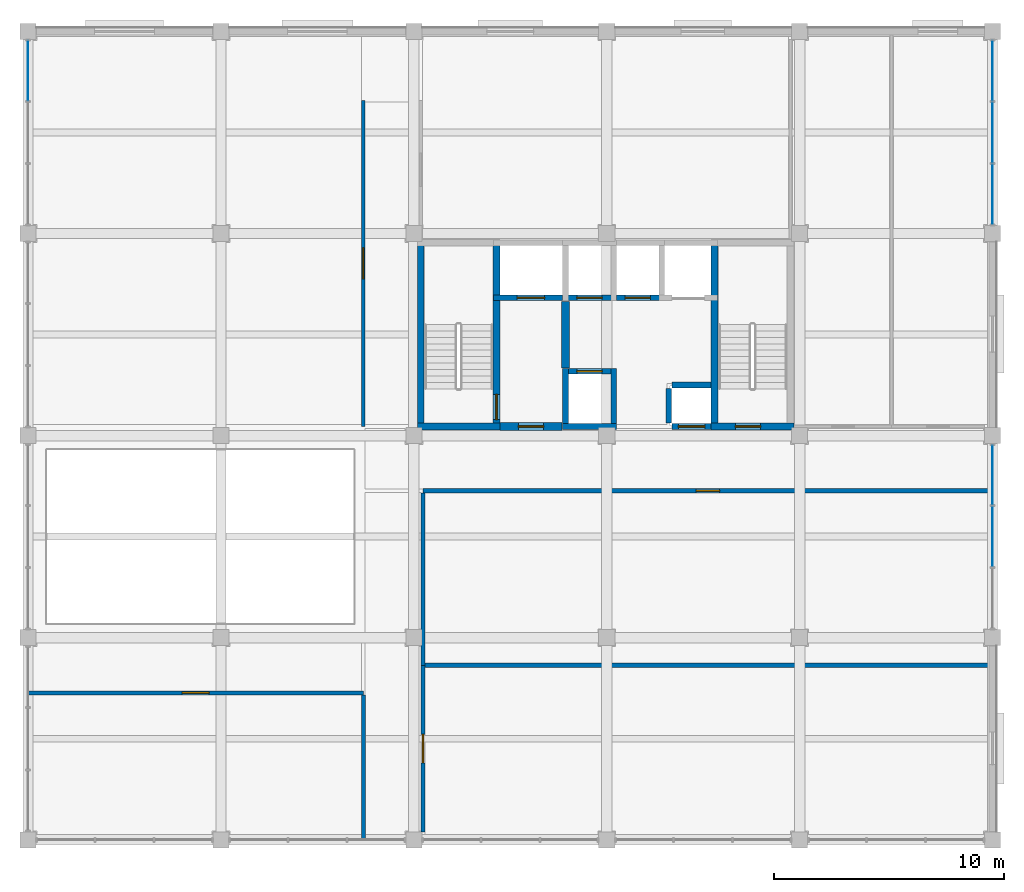
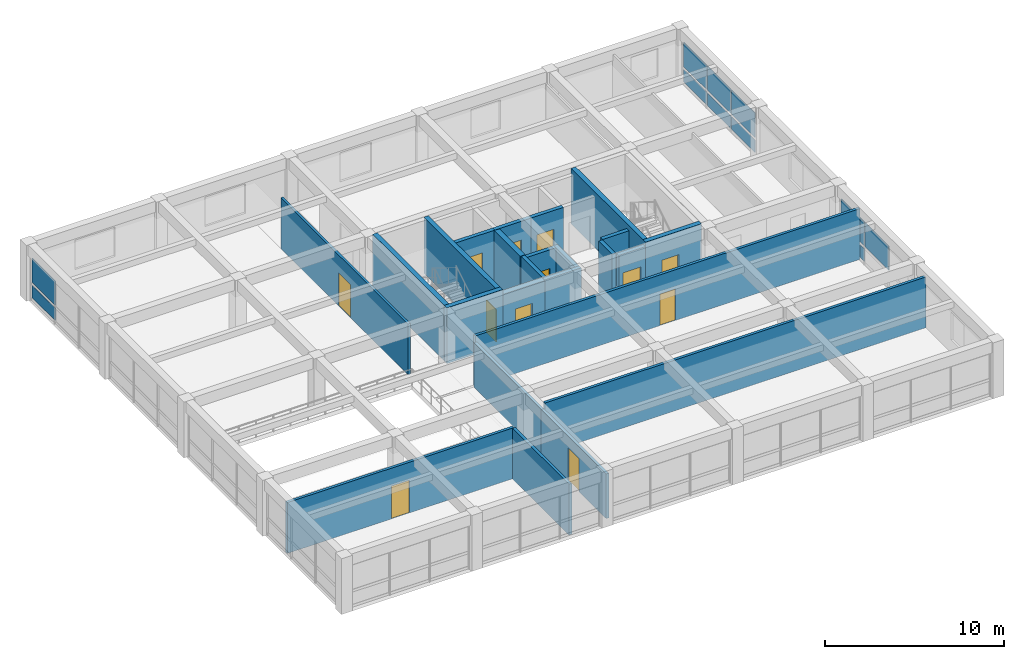
# One storey, part 9 of 13: 24 walls, 12 doors, 11 plates, 12 openings, 3 elements without a shape of their own.
"""IFC4 building model written with IfcOpenShell, lengths in metres."""

import ifcopenshell
import ifcopenshell.guid

model = None  # the IFC model being written
_history = None  # IfcOwnerHistory: only IFC2X3 demands one
_inside = {}  # id of a spatial element -> (the spatial element, [elements in it])
_under = {}  # id of a project, library or spatial element -> (it, [spatial elements below it])
_declared = {}  # id of a project -> (the project, [libraries it declares])
_typed = {}  # id of a type object -> (the type object, [elements of that type])
_made_of = {}  # id of a material, layer set ... -> (it, [elements and type objects made of it])


def new_model(schema):
    """Start an empty IFC model of exactly this schema.

    Asked for "IFC4X3", IfcOpenShell would pick the latest addendum, in which some entities
    have other attributes; the version numbers below select the first issue.
    IFC2X3 requires an IfcOwnerHistory on every rooted entity: one is made here for all.
    """
    global model, _history
    if schema == "IFC4X3":
        model = ifcopenshell.file(schema_version=(4, 3, 0, 0))
    else:
        model = ifcopenshell.file(schema=schema)
    _inside.clear()
    _under.clear()
    _declared.clear()
    _typed.clear()
    _made_of.clear()
    _history = None
    if model.schema == "IFC2X3":
        org = make("IfcOrganization", Name="unknown")
        user = make(
            "IfcPersonAndOrganization",
            ThePerson=make("IfcPerson", FamilyName="unknown"),
            TheOrganization=org,
        )
        app = make(
            "IfcApplication",
            ApplicationDeveloper=org,
            Version="unknown",
            ApplicationFullName="unknown",
            ApplicationIdentifier="unknown",
        )
        _history = make(
            "IfcOwnerHistory",
            OwningUser=user,
            OwningApplication=app,
            ChangeAction="ADDED",
            CreationDate=0,
        )
    return model


def make(cls, **values):
    """One entity of the class cls with the attributes given. An attribute that is None is left unset."""
    return model.create_entity(
        cls, **{name: value for name, value in values.items() if value is not None}
    )


def rooted(cls, **values):
    """An entity with a GlobalId (a new one), such as an element, a storey or a relation."""
    return make(cls, GlobalId=ifcopenshell.guid.new(), OwnerHistory=_history, **values)


def si_unit(unit_type, name, prefix=None):
    """IfcSIUnit, for example si_unit("LENGTHUNIT", "METRE", prefix="MILLI")."""
    return make("IfcSIUnit", UnitType=unit_type, Prefix=prefix, Name=name)


def assignment(units):
    """IfcUnitAssignment: the units of a project."""
    return None if units is None else make("IfcUnitAssignment", Units=units)


def point(xyz):
    """IfcCartesianPoint."""
    return None if xyz is None else make("IfcCartesianPoint", Coordinates=xyz)


def direction(xyz):
    """IfcDirection."""
    return None if xyz is None else make("IfcDirection", DirectionRatios=xyz)


def frame(location, z_axis=None, x_axis=None):
    """IfcAxis2Placement3D, a coordinate frame: its origin and axes. An axis left out is left unset."""
    return make(
        "IfcAxis2Placement3D",
        Location=point(location),
        Axis=direction(z_axis),
        RefDirection=direction(x_axis),
    )


def frame_2d(location, x_axis=None):
    """IfcAxis2Placement2D, a coordinate frame in the plane: its origin and x axis."""
    return make(
        "IfcAxis2Placement2D", Location=point(location), RefDirection=direction(x_axis)
    )


def origin():
    """The frame at (0, 0, 0) with its axes left unset."""
    return frame((0.0, 0.0, 0.0))


def origin_2d():
    """The frame at (0, 0) in the plane with its x axis left unset."""
    return frame_2d((0.0, 0.0))


def place(relative_to, where):
    """IfcLocalPlacement: puts the frame where relative to a parent placement (None: the world)."""
    return make(
        "IfcLocalPlacement", PlacementRelTo=relative_to, RelativePlacement=where
    )


def context(
    kind, dimensions, precision=None, world=None, true_north=None, identifier=None
):
    """IfcGeometricRepresentationContext, for example the 3D "Model" context."""
    return make(
        "IfcGeometricRepresentationContext",
        ContextIdentifier=identifier,
        ContextType=kind,
        CoordinateSpaceDimension=dimensions,
        Precision=precision,
        WorldCoordinateSystem=world,
        TrueNorth=true_north,
    )


def subcontext(parent, identifier, kind, view, scale=None):
    """IfcGeometricRepresentationSubContext, for example "Body" below "Model"."""
    return make(
        "IfcGeometricRepresentationSubContext",
        ContextIdentifier=identifier,
        ContextType=kind,
        ParentContext=parent,
        TargetScale=scale,
        TargetView=view,
    )


def project(units=None, contexts=None):
    """IfcProject with its units and contexts."""
    return rooted(
        "IfcProject",
        Name="project",
        RepresentationContexts=contexts,
        UnitsInContext=assignment(units),
    )


def spatial(cls, under=None, at=None, **own):
    """A site, building, storey or space (cls), placed at a placement, below another one or the project."""
    s = rooted(cls, ObjectPlacement=at, **own)
    if under is not None:
        _under.setdefault(under.id(), (under, []))[1].append(s)
    return s


def profile(cls, at=None, kind="AREA", **sizes):
    """A parametric profile (cls). Its sizes go by their IFC names, for example OverallWidth=200.0."""
    return make(cls, ProfileType=kind, Position=at, **sizes)


def rectangle(**sizes):
    """IfcRectangleProfileDef."""
    return profile("IfcRectangleProfileDef", **sizes)


def extrude(swept, where, along, depth):
    """IfcExtrudedAreaSolid: the profile swept, set in the frame where, extruded along a direction by depth."""
    return make(
        "IfcExtrudedAreaSolid",
        SweptArea=swept,
        Position=where,
        ExtrudedDirection=direction(along),
        Depth=depth,
    )


def shape(context_of_items, identifier, shape_type, items):
    """IfcShapeRepresentation: the items that make up one representation, for example the "Body"."""
    return make(
        "IfcShapeRepresentation",
        ContextOfItems=context_of_items,
        RepresentationIdentifier=identifier,
        RepresentationType=shape_type,
        Items=items,
    )


def material(Name=None, Category=None):
    """IfcMaterial."""
    return make("IfcMaterial", Name=Name, Category=Category)


def layer(
    of_material, thickness, ventilated=None, Name=None, Category=None, Priority=None
):
    """IfcMaterialLayer: one layer of a wall or slab, of a material (None: an air gap)."""
    return make(
        "IfcMaterialLayer",
        Material=of_material,
        LayerThickness=thickness,
        IsVentilated=ventilated,
        Name=Name,
        Category=Category,
        Priority=Priority,
    )


def layer_set(layers, Name=None):
    """IfcMaterialLayerSet."""
    return make("IfcMaterialLayerSet", MaterialLayers=layers, LayerSetName=Name)


def made_of(thing, what):
    """Note that an element or type object is made of a material, layer set ...; save() writes the relation."""
    if what is not None:
        _made_of.setdefault(what.id(), (what, []))[1].append(thing)
    return thing


def type_object(cls, material=None, **own):
    """A type object (cls), such as IfcWallType, which elements share."""
    return made_of(rooted(cls, **own), material)


def element(
    cls,
    number,
    at=None,
    inside=None,
    cuts=None,
    type_object=None,
    material=None,
    context=None,
    identifier="Body",
    shape_type=None,
    held_by="IfcProductDefinitionShape",
    body=None,
    shapes=None,
    **own,
):
    """One element of the class cls, such as IfcWall. Its Tag is "e" and its number.

    at: its placement. inside: the storey or other place that contains it. cuts: it is an
    opening in that element (IfcRelVoidsElement). A single representation is given by context,
    identifier, shape_type and body (its items); several are given by shapes. held_by: the class
    of the entity that holds the representations. save() writes the other relations.
    """
    e = rooted(cls, Tag="e%d" % number, ObjectPlacement=at, **own)
    if body is not None:
        shapes = [shape(context, identifier, shape_type, body)]
    if shapes is not None:
        e.Representation = make(held_by, Representations=shapes)
    if inside is not None:
        _inside.setdefault(inside.id(), (inside, []))[1].append(e)
    if cuts is not None:
        rooted(
            "IfcRelVoidsElement", RelatingBuildingElement=cuts, RelatedOpeningElement=e
        )
    if type_object is not None:
        _typed.setdefault(type_object.id(), (type_object, []))[1].append(e)
    return made_of(e, material)


def fill(opening, filler):
    """IfcRelFillsElement: the door or window that sits in an opening."""
    return rooted(
        "IfcRelFillsElement",
        RelatingOpeningElement=opening,
        RelatedBuildingElement=filler,
    )


def aggregate(whole, parts):
    """IfcRelAggregates: a whole, such as a stair, and the parts it consists of."""
    return rooted("IfcRelAggregates", RelatingObject=whole, RelatedObjects=parts)


def save(model, path):
    """Write the relations noted so far, then the file.

    IfcRelAggregates (storeys below a building ...), IfcRelContainedInSpatialStructure (elements
    in a storey), IfcRelDefinesByType, IfcRelAssociatesMaterial and IfcRelDeclares: one each for
    every whole, place, type object, material and project.
    """
    for whole, parts in _under.values():
        aggregate(whole, parts)
    for where, things in _inside.values():
        rooted(
            "IfcRelContainedInSpatialStructure",
            RelatedElements=things,
            RelatingStructure=where,
        )
    for kind, things in _typed.values():
        rooted("IfcRelDefinesByType", RelatedObjects=things, RelatingType=kind)
    for what, things in _made_of.values():
        rooted("IfcRelAssociatesMaterial", RelatedObjects=things, RelatingMaterial=what)
    for by, libraries in _declared.values():
        rooted("IfcRelDeclares", RelatingContext=by, RelatedDefinitions=libraries)
    model.write(path)


model = new_model("IFC4")

# Units and contexts
model_context = context("Model", 3, precision=1e-05, world=origin(), true_north=direction((0.0, 1.0)))
body_context = subcontext(model_context, "Body", "Model", "MODEL_VIEW")
ifc_project = project(units=[si_unit("LENGTHUNIT", "METRE"), si_unit("AREAUNIT", "SQUARE_METRE"), si_unit("VOLUMEUNIT", "CUBIC_METRE"), si_unit("PLANEANGLEUNIT", "RADIAN"), si_unit("MASSUNIT", "GRAM", prefix="KILO")], contexts=[model_context])

# Site, building, storey
site_placement = place(None, origin())
site = spatial("IfcSite", under=ifc_project, at=site_placement, CompositionType="ELEMENT")
building_placement = place(site_placement, origin())
building = spatial("IfcBuilding", under=site, at=building_placement, Name="Kemercrest Conservatory and Botanical Centre", CompositionType="ELEMENT")
storey_placement = place(building_placement, frame((0.0, 0.0, 40.60009765625)))
storey = spatial("IfcBuildingStorey", under=building, at=storey_placement, Name="L10", CompositionType="ELEMENT", Elevation=40.60009765625)

# Curtain wall, plates
ifc_material_1 = material(Name="Thermally broken aluminium and triple low-e glazing", Category="aluminium")
curtain_wall_type_1 = type_object("IfcCurtainWallType", Name="CW-27", PredefinedType="USERDEFINED", material=ifc_material_1)
curtain_wall_1_placement = place(storey_placement, origin())
curtain_wall_1 = element("IfcCurtainWall", 1, at=curtain_wall_1_placement, inside=storey, type_object=curtain_wall_type_1, Name="Unitised curtain wall CW-27 (CW:L10:V4-116)", ObjectType="UNITISED CURTAIN WALL", PredefinedType="USERDEFINED")
ifc_material_2 = material(Name="Triple low-e argon insulated glazing unit", Category="glass")
ifc_layer_1 = layer(ifc_material_2, 0.035888671875)
ifc_layer_set_1 = layer_set([ifc_layer_1], Name="Triple low-e argon insulated glazing unit")
plate_type = type_object("IfcPlateType", Name="CW-PNL036", PredefinedType="CURTAIN_PANEL", material=ifc_layer_set_1)
plate_1_placement = place(storey_placement, frame((176.0, 100.39990234375, 1.2099609375), z_axis=(0.0, 0.0, 1.0), x_axis=(0.0, 1.0, 0.0)))
plate_1 = element("IfcPlate", 2, at=plate_1_placement, type_object=plate_type, Name="CW-27 panel 2.2", PredefinedType="CURTAIN_PANEL", context=body_context, shape_type="SweptSolid", body=[
    extrude(rectangle(XDim=2.638427734375, YDim=0.035888671875, at=origin_2d()), origin(), (0.0, 0.0, 1.0), 1.6650390625),
])
plate_2_placement = place(storey_placement, frame((176.0, 103.087158203125, 0.179931640625), z_axis=(0.0, 0.0, 1.0), x_axis=(0.0, 1.0, 0.0)))
plate_2 = element("IfcPlate", 3, at=plate_2_placement, type_object=plate_type, Name="CW-27 panel 3.1", PredefinedType="CURTAIN_PANEL", context=body_context, shape_type="SweptSolid", body=[
    extrude(rectangle(XDim=2.605712890625, YDim=0.035888671875, at=origin_2d()), origin(), (0.0, 0.0, 1.0), 0.85009765625),
])
plate_3_placement = place(storey_placement, frame((176.0, 103.087158203125, 1.2099609375), z_axis=(0.0, 0.0, 1.0), x_axis=(0.0, 1.0, 0.0)))
plate_3 = element("IfcPlate", 4, at=plate_3_placement, type_object=plate_type, Name="CW-27 panel 3.2", PredefinedType="CURTAIN_PANEL", context=body_context, shape_type="SweptSolid", body=[
    extrude(rectangle(XDim=2.605712890625, YDim=0.035888671875, at=origin_2d()), origin(), (0.0, 0.0, 1.0), 1.6650390625),
])
aggregate(curtain_wall_1, [plate_1, plate_2, plate_3])

curtain_wall_type_2 = type_object("IfcCurtainWallType", Name="CW-28", PredefinedType="USERDEFINED", material=ifc_material_1)
curtain_wall_2_placement = place(storey_placement, origin())
curtain_wall_2 = element("IfcCurtainWall", 5, at=curtain_wall_2_placement, inside=storey, type_object=curtain_wall_type_2, Name="Unitised curtain wall CW-28 (CW:L10:V4-117)", ObjectType="UNITISED CURTAIN WALL", PredefinedType="USERDEFINED")
plate_4_placement = place(storey_placement, frame((176.0, 115.31298828125, 0.179931640625), z_axis=(0.0, 0.0, 1.0), x_axis=(0.0, 1.0, 0.0)))
plate_4 = element("IfcPlate", 6, at=plate_4_placement, type_object=plate_type, Name="CW-28 panel 1.1", PredefinedType="CURTAIN_PANEL", context=body_context, shape_type="SweptSolid", body=[
    extrude(rectangle(XDim=2.605712890625, YDim=0.035888671875, at=origin_2d()), origin(), (0.0, 0.0, 1.0), 0.85009765625),
])
plate_5_placement = place(storey_placement, frame((176.0, 115.31298828125, 1.2099609375), z_axis=(0.0, 0.0, 1.0), x_axis=(0.0, 1.0, 0.0)))
plate_5 = element("IfcPlate", 7, at=plate_5_placement, type_object=plate_type, Name="CW-28 panel 1.2", PredefinedType="CURTAIN_PANEL", context=body_context, shape_type="SweptSolid", body=[
    extrude(rectangle(XDim=2.605712890625, YDim=0.035888671875, at=origin_2d()), origin(), (0.0, 0.0, 1.0), 1.6650390625),
])
plate_6_placement = place(storey_placement, frame((176.0, 118.0, 0.179931640625), z_axis=(0.0, 0.0, 1.0), x_axis=(0.0, 1.0, 0.0)))
plate_6 = element("IfcPlate", 8, at=plate_6_placement, type_object=plate_type, Name="CW-28 panel 2.1", PredefinedType="CURTAIN_PANEL", context=body_context, shape_type="SweptSolid", body=[
    extrude(rectangle(XDim=2.638427734375, YDim=0.035888671875, at=origin_2d()), origin(), (0.0, 0.0, 1.0), 0.85009765625),
])
plate_7_placement = place(storey_placement, frame((176.0, 118.0, 1.2099609375), z_axis=(0.0, 0.0, 1.0), x_axis=(0.0, 1.0, 0.0)))
plate_7 = element("IfcPlate", 9, at=plate_7_placement, type_object=plate_type, Name="CW-28 panel 2.2", PredefinedType="CURTAIN_PANEL", context=body_context, shape_type="SweptSolid", body=[
    extrude(rectangle(XDim=2.638427734375, YDim=0.035888671875, at=origin_2d()), origin(), (0.0, 0.0, 1.0), 1.6650390625),
])
plate_8_placement = place(storey_placement, frame((176.0, 120.68701171875, 0.179931640625), z_axis=(0.0, 0.0, 1.0), x_axis=(0.0, 1.0, 0.0)))
plate_8 = element("IfcPlate", 10, at=plate_8_placement, type_object=plate_type, Name="CW-28 panel 3.1", PredefinedType="CURTAIN_PANEL", context=body_context, shape_type="SweptSolid", body=[
    extrude(rectangle(XDim=2.605712890625, YDim=0.035888671875, at=origin_2d()), origin(), (0.0, 0.0, 1.0), 0.85009765625),
])
plate_9_placement = place(storey_placement, frame((176.0, 120.68701171875, 1.2099609375), z_axis=(0.0, 0.0, 1.0), x_axis=(0.0, 1.0, 0.0)))
plate_9 = element("IfcPlate", 11, at=plate_9_placement, type_object=plate_type, Name="CW-28 panel 3.2", PredefinedType="CURTAIN_PANEL", context=body_context, shape_type="SweptSolid", body=[
    extrude(rectangle(XDim=2.605712890625, YDim=0.035888671875, at=origin_2d()), origin(), (0.0, 0.0, 1.0), 1.6650390625),
])
aggregate(curtain_wall_2, [plate_4, plate_5, plate_6, plate_7, plate_8, plate_9])

curtain_wall_type_3 = type_object("IfcCurtainWallType", Name="CW-29", PredefinedType="USERDEFINED", material=ifc_material_1)
curtain_wall_3_placement = place(storey_placement, origin())
curtain_wall_3 = element("IfcCurtainWall", 12, at=curtain_wall_3_placement, inside=storey, type_object=curtain_wall_type_3, Name="Unitised curtain wall CW-29 (CW:L10:V4-118)", ObjectType="UNITISED CURTAIN WALL", PredefinedType="USERDEFINED")
plate_10_placement = place(storey_placement, frame((134.0, 120.68701171875, 0.179931640625), z_axis=(0.0, 0.0, 1.0), x_axis=(0.0, -1.0, 0.0)))
plate_10 = element("IfcPlate", 13, at=plate_10_placement, type_object=plate_type, Name="CW-29 panel 1.1", PredefinedType="CURTAIN_PANEL", context=body_context, shape_type="SweptSolid", body=[
    extrude(rectangle(XDim=2.605712890625, YDim=0.035888671875, at=origin_2d()), origin(), (0.0, 0.0, 1.0), 0.85009765625),
])
plate_11_placement = place(storey_placement, frame((134.0, 120.68701171875, 1.2099609375), z_axis=(0.0, 0.0, 1.0), x_axis=(0.0, -1.0, 0.0)))
plate_11 = element("IfcPlate", 14, at=plate_11_placement, type_object=plate_type, Name="CW-29 panel 1.2", PredefinedType="CURTAIN_PANEL", context=body_context, shape_type="SweptSolid", body=[
    extrude(rectangle(XDim=2.605712890625, YDim=0.035888671875, at=origin_2d()), origin(), (0.0, 0.0, 1.0), 1.6650390625),
])
aggregate(curtain_wall_3, [plate_10, plate_11])

# Wall
ifc_material_3 = material(Name="Concrete C50/60", Category="concrete")
ifc_layer_2 = layer(ifc_material_3, 0.35009765625)
ifc_layer_set_2 = layer_set([ifc_layer_2], Name="Concrete C50/60")
wall_type_1 = type_object("IfcWallType", Name="CW-CORE", PredefinedType="SHEAR", material=ifc_layer_set_2)
wall_1_placement = place(storey_placement, frame((157.39990234375, 107.75, 0.0), z_axis=(0.0, 0.0, 1.0), x_axis=(0.0, 1.0, 0.0)))
element("IfcWall", 15, at=wall_1_placement, inside=storey, type_object=wall_type_1, Name="Firefighting lift lobby 2-hour separation shear wall", PredefinedType="SHEAR", context=body_context, shape_type="SweptSolid", body=[
    extrude(rectangle(XDim=2.89990234375, YDim=0.35009765625, at=frame_2d((1.449951171875, 0.0))), origin(), (0.0, 0.0, 1.0), 3.47998046875),
])

# Wall, opening, door
wall_2_placement = place(storey_placement, frame((154.550048828125, 105.199951171875, 0.0), z_axis=(0.0, 0.0, 1.0), x_axis=(1.0, 0.0, 0.0)))
wall_2 = element("IfcWall", 16, at=wall_2_placement, inside=storey, type_object=wall_type_1, Name="Firefighting lift lobby south shear wall", PredefinedType="SHEAR", context=body_context, shape_type="SweptSolid", body=[
    extrude(rectangle(XDim=2.699951171875, YDim=0.35009765625, at=frame_2d((1.35009765625, 0.0))), origin(), (0.0, 0.0, 1.0), 3.47998046875),
])
opening_1_placement = place(wall_2_placement, frame((0.800048828125, 0.0, 0.0)))
opening_1 = element("IfcOpeningElement", 17, at=opening_1_placement, cuts=wall_2, Name="Opening D091", PredefinedType="OPENING", context=body_context, shape_type="SweptSolid", body=[
    extrude(rectangle(XDim=1.10009765625, YDim=2.199951171875, at=frame_2d((0.550048828125, 1.10009765625))), frame((0.0, 0.18505859375, 0.0), z_axis=(0.0, -1.0, 0.0), x_axis=(1.0, 0.0, 0.0)), (0.0, 0.0, 1.0), 0.3701171875),
])
ifc_material_4 = material(Name="Powder-coated galvanized steel and fire-rated vision glass", Category="steel")
door_type_1 = type_object("IfcDoorType", Name="DT-FD90", OperationType="NOTDEFINED", PredefinedType="DOOR", material=ifc_material_4)
door_1_placement = place(opening_1_placement, origin())
door_1 = element("IfcDoor", 18, at=door_1_placement, inside=storey, type_object=door_type_1, Name="Firefighting lift lobby corridor fire door D091", OperationType="SINGLE_SWING_LEFT", OverallHeight=2.199951171875, OverallWidth=1.10009765625, PredefinedType="DOOR", context=body_context, shape_type="SweptSolid", body=[
    extrude(rectangle(XDim=1.10009765625, YDim=2.199951171875, at=frame_2d((0.550048828125, 1.10009765625))), frame((0.0, 0.02490234375, 0.0), z_axis=(0.0, -1.0, 0.0), x_axis=(1.0, 0.0, 0.0)), (0.0, 0.0, 1.0), 0.050048828125),
])
fill(opening_1, door_1)

# Walls
ifc_layer_3 = layer(ifc_material_3, 0.300048828125)
ifc_layer_set_3 = layer_set([ifc_layer_3], Name="Concrete C50/60")
wall_type_2 = type_object("IfcWallType", Name="CW-STAIR", PredefinedType="SHEAR", material=ifc_layer_set_3)
wall_3_placement = place(storey_placement, frame((150.949951171875, 105.199951171875, 0.0), z_axis=(0.0, 0.0, 1.0), x_axis=(1.0, 0.0, 0.0)))
element("IfcWall", 19, at=wall_3_placement, inside=storey, type_object=wall_type_2, Name="Stair core ST-V4A shear wall S", PredefinedType="SHEAR", context=body_context, shape_type="SweptSolid", body=[
    extrude(rectangle(XDim=3.60009765625, YDim=0.300048828125, at=frame_2d((1.800048828125, 0.0))), origin(), (0.0, 0.0, 1.0), 3.7998046875),
])
wall_4_placement = place(storey_placement, frame((151.10009765625, 105.050048828125, 0.0), z_axis=(0.0, 0.0, 1.0), x_axis=(0.0, 1.0, 0.0)))
element("IfcWall", 20, at=wall_4_placement, inside=storey, type_object=wall_type_2, Name="Stair core ST-V4A shear wall W", PredefinedType="SHEAR", context=body_context, shape_type="SweptSolid", body=[
    extrude(rectangle(XDim=8.300048828125, YDim=0.300048828125, at=frame_2d((4.14990234375, 0.0))), origin(), (0.0, 0.0, 1.0), 3.7998046875),
])

# Wall, opening, door
wall_5_placement = place(storey_placement, frame((154.39990234375, 105.050048828125, 0.0), z_axis=(0.0, 0.0, 1.0), x_axis=(0.0, 1.0, 0.0)))
wall_5 = element("IfcWall", 21, at=wall_5_placement, inside=storey, type_object=wall_type_2, Name="Stair core ST-V4A shear wall E", PredefinedType="SHEAR", context=body_context, shape_type="SweptSolid", body=[
    extrude(rectangle(XDim=8.300048828125, YDim=0.300048828125, at=frame_2d((4.14990234375, 0.0))), origin(), (0.0, 0.0, 1.0), 3.7998046875),
])
opening_2_placement = place(wall_5_placement, frame((0.449951171875, 0.0, 0.0)))
opening_2 = element("IfcOpeningElement", 22, at=opening_2_placement, cuts=wall_5, Name="Opening D036", PredefinedType="OPENING", context=body_context, shape_type="SweptSolid", body=[
    extrude(rectangle(XDim=1.10009765625, YDim=2.199951171875, at=frame_2d((0.550048828125, 1.10009765625))), frame((0.0, 0.16015625, 0.0), z_axis=(0.0, -1.0, 0.0), x_axis=(1.0, 0.0, 0.0)), (0.0, 0.0, 1.0), 0.320068359375),
])
door_2_placement = place(opening_2_placement, frame((1.10009765625, 0.0, 0.0), z_axis=(0.0, 0.0, 1.0), x_axis=(-1.0, 0.0, 0.0)))
door_2 = element("IfcDoor", 23, at=door_2_placement, inside=storey, type_object=door_type_1, Name="Exit stair ST-V4A fire door D036", OperationType="SINGLE_SWING_RIGHT", OverallHeight=2.199951171875, OverallWidth=1.10009765625, PredefinedType="DOOR", context=body_context, shape_type="SweptSolid", body=[
    extrude(rectangle(XDim=1.10009765625, YDim=2.199951171875, at=frame_2d((0.550048828125, 1.10009765625))), frame((0.0, 0.02490234375, 0.0), z_axis=(0.0, -1.0, 0.0), x_axis=(1.0, 0.0, 0.0)), (0.0, 0.0, 1.0), 0.050048828125),
])
fill(opening_2, door_2)

wall_6_placement = place(storey_placement, frame((163.75, 105.199951171875, 0.0), z_axis=(0.0, 0.0, 1.0), x_axis=(1.0, 0.0, 0.0)))
wall_6 = element("IfcWall", 24, at=wall_6_placement, inside=storey, type_object=wall_type_2, Name="Stair core ST-V4B shear wall S", PredefinedType="SHEAR", context=body_context, shape_type="SweptSolid", body=[
    extrude(rectangle(XDim=3.60009765625, YDim=0.300048828125, at=frame_2d((1.800048828125, 0.0))), origin(), (0.0, 0.0, 1.0), 3.7998046875),
])
opening_3_placement = place(wall_6_placement, frame((1.050048828125, 0.0, 0.0)))
opening_3 = element("IfcOpeningElement", 25, at=opening_3_placement, cuts=wall_6, Name="Opening D055", PredefinedType="OPENING", context=body_context, shape_type="SweptSolid", body=[
    extrude(rectangle(XDim=1.10009765625, YDim=2.199951171875, at=frame_2d((0.550048828125, 1.10009765625))), frame((0.0, 0.16015625, 0.0), z_axis=(0.0, -1.0, 0.0), x_axis=(1.0, 0.0, 0.0)), (0.0, 0.0, 1.0), 0.320068359375),
])
door_3_placement = place(opening_3_placement, origin())
door_3 = element("IfcDoor", 26, at=door_3_placement, inside=storey, type_object=door_type_1, Name="Exit stair ST-V4B fire door D055", OperationType="SINGLE_SWING_LEFT", OverallHeight=2.199951171875, OverallWidth=1.10009765625, PredefinedType="DOOR", context=body_context, shape_type="SweptSolid", body=[
    extrude(rectangle(XDim=1.10009765625, YDim=2.199951171875, at=frame_2d((0.550048828125, 1.10009765625))), frame((0.0, 0.02490234375, 0.0), z_axis=(0.0, -1.0, 0.0), x_axis=(1.0, 0.0, 0.0)), (0.0, 0.0, 1.0), 0.050048828125),
])
fill(opening_3, door_3)

# Wall
wall_7_placement = place(storey_placement, frame((163.89990234375, 105.050048828125, 0.0), z_axis=(0.0, 0.0, 1.0), x_axis=(0.0, 1.0, 0.0)))
element("IfcWall", 27, at=wall_7_placement, inside=storey, type_object=wall_type_2, Name="Stair core ST-V4B shear wall W", PredefinedType="SHEAR", context=body_context, shape_type="SweptSolid", body=[
    extrude(rectangle(XDim=8.300048828125, YDim=0.300048828125, at=frame_2d((4.14990234375, 0.0))), origin(), (0.0, 0.0, 1.0), 3.7998046875),
])

# Wall, opening, door
ifc_material_5 = material(Name="Steel-stud gypsum board partition", Category="steel")
ifc_layer_4 = layer(ifc_material_5, 0.14990234375)
ifc_layer_set_4 = layer_set([ifc_layer_4], Name="Steel-stud gypsum board partition")
wall_type_3 = type_object("IfcWallType", Name="W-PART150", PredefinedType="PARTITIONING", material=ifc_layer_set_4)
wall_8_placement = place(storey_placement, frame((148.60009765625, 105.199951171875, 0.0), z_axis=(0.0, 0.0, 1.0), x_axis=(0.0, 1.0, 0.0)))
wall_8 = element("IfcWall", 28, at=wall_8_placement, inside=storey, type_object=wall_type_3, Name="Interior partition W-PART150 #249", PredefinedType="PARTITIONING", context=body_context, shape_type="SweptSolid", body=[
    extrude(rectangle(XDim=14.199951171875, YDim=0.14990234375, at=frame_2d((7.10009765625, 0.0))), origin(), (0.0, 0.0, 1.0), 3.46484375),
])
opening_4_placement = place(wall_8_placement, frame((6.429931640625, 0.0, 0.0)))
opening_4 = element("IfcOpeningElement", 29, at=opening_4_placement, cuts=wall_8, Name="Opening D247", PredefinedType="OPENING", context=body_context, shape_type="SweptSolid", body=[
    extrude(rectangle(XDim=1.340087890625, YDim=2.239990234375, at=frame_2d((0.669921875, 1.1201171875))), frame((0.0, 0.0849609375, 0.0), z_axis=(0.0, -1.0, 0.0), x_axis=(1.0, 0.0, 0.0)), (0.0, 0.0, 1.0), 0.169921875),
])
ifc_material_6 = material(Name="FSC solid-core white oak veneer and anodized aluminium frame", Category="aluminium")
door_type_2 = type_object("IfcDoorType", Name="DT-28", OperationType="DOUBLE_DOOR_SINGLE_SWING", PredefinedType="DOOR", material=ifc_material_6)
door_4_placement = place(opening_4_placement, origin())
door_4 = element("IfcDoor", 30, at=door_4_placement, inside=storey, type_object=door_type_2, Name="Computational Ecology Studio door D247", OperationType="DOUBLE_DOOR_SINGLE_SWING", OverallHeight=2.239990234375, OverallWidth=1.340087890625, PredefinedType="DOOR", context=body_context, shape_type="SweptSolid", body=[
    extrude(rectangle(XDim=1.340087890625, YDim=2.239990234375, at=frame_2d((0.669921875, 1.1201171875))), frame((0.0, 0.02490234375, 0.0), z_axis=(0.0, -1.0, 0.0), x_axis=(1.0, 0.0, 0.0)), (0.0, 0.0, 1.0), 0.050048828125),
])
fill(opening_4, door_4)

ifc_material_7 = material(Name="Acoustic steel-stud gypsum board assembly", Category="steel")
ifc_layer_5 = layer(ifc_material_7, 0.179931640625)
ifc_layer_set_5 = layer_set([ifc_layer_5], Name="Acoustic steel-stud gypsum board assembly")
wall_type_4 = type_object("IfcWallType", Name="W-PART180", PredefinedType="PARTITIONING", material=ifc_layer_set_5)
wall_9_placement = place(storey_placement, frame((151.199951171875, 102.39990234375, 0.0), z_axis=(0.0, 0.0, 1.0), x_axis=(1.0, 0.0, 0.0)))
wall_9 = element("IfcWall", 31, at=wall_9_placement, inside=storey, type_object=wall_type_4, Name="Interior partition W-PART180 #242", PredefinedType="PARTITIONING", context=body_context, shape_type="SweptSolid", body=[
    extrude(rectangle(XDim=24.800048828125, YDim=0.179931640625, at=frame_2d((12.39990234375, 0.0))), origin(), (0.0, 0.0, 1.0), 3.46484375),
])
opening_5_placement = place(wall_9_placement, frame((11.889892578125, 0.0, 0.0)))
opening_5 = element("IfcOpeningElement", 32, at=opening_5_placement, cuts=wall_9, Name="Opening D242", PredefinedType="OPENING", context=body_context, shape_type="SweptSolid", body=[
    extrude(rectangle(XDim=1.02001953125, YDim=2.159912109375, at=frame_2d((0.510009765625, 1.080078125))), frame((0.0, 0.10009765625, 0.0), z_axis=(0.0, -1.0, 0.0), x_axis=(1.0, 0.0, 0.0)), (0.0, 0.0, 1.0), 0.199951171875),
])
door_type_3 = type_object("IfcDoorType", Name="DT-23", OperationType="NOTDEFINED", PredefinedType="DOOR", material=ifc_material_6)
door_5_placement = place(opening_5_placement, origin())
door_5 = element("IfcDoor", 33, at=door_5_placement, inside=storey, type_object=door_type_3, Name="Fluorescence Microscopy Laboratory door D242", OperationType="SINGLE_SWING_RIGHT", OverallHeight=2.159912109375, OverallWidth=1.02001953125, PredefinedType="DOOR", context=body_context, shape_type="SweptSolid", body=[
    extrude(rectangle(XDim=1.02001953125, YDim=2.159912109375, at=frame_2d((0.510009765625, 1.080078125))), frame((0.0, 0.02490234375, 0.0), z_axis=(0.0, -1.0, 0.0), x_axis=(1.0, 0.0, 0.0)), (0.0, 0.0, 1.0), 0.050048828125),
])
fill(opening_5, door_5)

wall_10_placement = place(storey_placement, frame((134.0, 93.60009765625, 0.0), z_axis=(0.0, 0.0, 1.0), x_axis=(1.0, 0.0, 0.0)))
wall_10 = element("IfcWall", 34, at=wall_10_placement, inside=storey, type_object=wall_type_4, Name="Interior partition W-PART180 #245", PredefinedType="PARTITIONING", context=body_context, shape_type="SweptSolid", body=[
    extrude(rectangle(XDim=14.60009765625, YDim=0.179931640625, at=frame_2d((7.300048828125, 0.0))), origin(), (0.0, 0.0, 1.0), 3.46484375),
])
opening_6_placement = place(wall_10_placement, frame((6.7099609375, 0.0, 0.0)))
opening_6 = element("IfcOpeningElement", 35, at=opening_6_placement, cuts=wall_10, Name="Opening D245", PredefinedType="OPENING", context=body_context, shape_type="SweptSolid", body=[
    extrude(rectangle(XDim=1.179931640625, YDim=2.239990234375, at=frame_2d((0.58984375, 1.1201171875))), frame((0.0, 0.10009765625, 0.0), z_axis=(0.0, -1.0, 0.0), x_axis=(1.0, 0.0, 0.0)), (0.0, 0.0, 1.0), 0.199951171875),
])
door_type_4 = type_object("IfcDoorType", Name="DT-26", OperationType="NOTDEFINED", PredefinedType="DOOR", material=ifc_material_6)
door_6_placement = place(opening_6_placement, origin())
door_6 = element("IfcDoor", 36, at=door_6_placement, inside=storey, type_object=door_type_4, Name="Proteomics Research Laboratory door D245", OperationType="SINGLE_SWING_LEFT", OverallHeight=2.239990234375, OverallWidth=1.179931640625, PredefinedType="DOOR", context=body_context, shape_type="SweptSolid", body=[
    extrude(rectangle(XDim=1.179931640625, YDim=2.239990234375, at=frame_2d((0.58984375, 1.1201171875))), frame((0.0, 0.02490234375, 0.0), z_axis=(0.0, -1.0, 0.0), x_axis=(1.0, 0.0, 0.0)), (0.0, 0.0, 1.0), 0.050048828125),
])
fill(opening_6, door_6)

# Walls
wall_11_placement = place(storey_placement, frame((148.60009765625, 87.199951171875, 0.0), z_axis=(0.0, 0.0, 1.0), x_axis=(0.0, 1.0, 0.0)))
element("IfcWall", 37, at=wall_11_placement, inside=storey, type_object=wall_type_4, Name="Interior partition W-PART180 #246", PredefinedType="PARTITIONING", context=body_context, shape_type="SweptSolid", body=[
    extrude(rectangle(XDim=6.304931640625, YDim=0.179931640625, at=frame_2d((3.15234375, 0.0))), origin(), (0.0, 0.0, 1.0), 3.46484375),
])
wall_12_placement = place(storey_placement, frame((151.199951171875, 94.800048828125, 0.0), z_axis=(0.0, 0.0, 1.0), x_axis=(0.0, 1.0, 0.0)))
element("IfcWall", 38, at=wall_12_placement, inside=storey, type_object=wall_type_4, Name="Interior partition W-PART180 #247", PredefinedType="PARTITIONING", context=body_context, shape_type="SweptSolid", body=[
    extrude(rectangle(XDim=7.5048828125, YDim=0.179931640625, at=frame_2d((3.75244140625, 0.0))), origin(), (0.0, 0.0, 1.0), 3.044921875),
])

# Wall, opening, door
wall_13_placement = place(storey_placement, frame((151.199951171875, 87.550048828125, 0.0), z_axis=(0.0, 0.0, 1.0), x_axis=(0.0, 1.0, 0.0)))
wall_13 = element("IfcWall", 39, at=wall_13_placement, inside=storey, type_object=wall_type_4, Name="Interior partition W-PART180 #248", PredefinedType="PARTITIONING", context=body_context, shape_type="SweptSolid", body=[
    extrude(rectangle(XDim=7.25, YDim=0.179931640625, at=frame_2d((3.625, 0.0))), origin(), (0.0, 0.0, 1.0), 3.044921875),
])
opening_7_placement = place(wall_13_placement, frame((3.0048828125, 0.0, 0.0)))
opening_7 = element("IfcOpeningElement", 40, at=opening_7_placement, cuts=wall_13, Name="Opening D246", PredefinedType="OPENING", context=body_context, shape_type="SweptSolid", body=[
    extrude(rectangle(XDim=1.239990234375, YDim=2.260009765625, at=frame_2d((0.6201171875, 1.1298828125))), frame((0.0, 0.10009765625, 0.0), z_axis=(0.0, -1.0, 0.0), x_axis=(1.0, 0.0, 0.0)), (0.0, 0.0, 1.0), 0.199951171875),
])
door_type_5 = type_object("IfcDoorType", Name="DT-27", OperationType="NOTDEFINED", PredefinedType="DOOR", material=ifc_material_6)
door_7_placement = place(opening_7_placement, origin())
door_7 = element("IfcDoor", 41, at=door_7_placement, inside=storey, type_object=door_type_5, Name="Cell Sorting Laboratory door D246", OperationType="SINGLE_SWING_RIGHT", OverallHeight=2.260009765625, OverallWidth=1.239990234375, PredefinedType="DOOR", context=body_context, shape_type="SweptSolid", body=[
    extrude(rectangle(XDim=1.239990234375, YDim=2.260009765625, at=frame_2d((0.6201171875, 1.1298828125))), frame((0.0, 0.02490234375, 0.0), z_axis=(0.0, -1.0, 0.0), x_axis=(1.0, 0.0, 0.0)), (0.0, 0.0, 1.0), 0.050048828125),
])
fill(opening_7, door_7)

# Wall
wall_14_placement = place(storey_placement, frame((151.294921875, 94.800048828125, 0.0), z_axis=(0.0, 0.0, 1.0), x_axis=(1.0, 0.0, 0.0)))
element("IfcWall", 42, at=wall_14_placement, inside=storey, type_object=wall_type_4, Name="Interior partition W-PART180 #251", PredefinedType="PARTITIONING", context=body_context, shape_type="SweptSolid", body=[
    extrude(rectangle(XDim=24.550048828125, YDim=0.179931640625, at=frame_2d((12.27490234375, 0.0))), origin(), (0.0, 0.0, 1.0), 3.46484375),
])

# Wall, opening, door
ifc_material_8 = material(Name="Concrete C40/50", Category="concrete")
ifc_layer_6 = layer(ifc_material_8, 0.25)
ifc_layer_set_6 = layer_set([ifc_layer_6], Name="Concrete C40/50")
wall_type_5 = type_object("IfcWallType", Name="W-SHFT250", PredefinedType="SOLIDWALL", material=ifc_layer_set_6)
wall_15_placement = place(storey_placement, frame((154.27490234375, 110.800048828125, 0.0), z_axis=(0.0, 0.0, 1.0), x_axis=(1.0, 0.0, 0.0)))
wall_15 = element("IfcWall", 43, at=wall_15_placement, inside=storey, type_object=wall_type_5, Name="Elevator LF-FF1 shaft wall south", PredefinedType="SOLIDWALL", context=body_context, shape_type="SweptSolid", body=[
    extrude(rectangle(XDim=3.25, YDim=0.25, at=frame_2d((1.625, 0.0))), origin(), (0.0, 0.0, 1.0), 3.47998046875),
])
opening_8_placement = place(wall_15_placement, frame((1.02490234375, 0.0, 0.0)))
opening_8 = element("IfcOpeningElement", 44, at=opening_8_placement, cuts=wall_15, Name="Opening LD-012", PredefinedType="OPENING", context=body_context, shape_type="SweptSolid", body=[
    extrude(rectangle(XDim=1.199951171875, YDim=2.199951171875, at=frame_2d((0.60009765625, 1.10009765625))), frame((0.0, 0.135009765625, 0.0), z_axis=(0.0, -1.0, 0.0), x_axis=(1.0, 0.0, 0.0)), (0.0, 0.0, 1.0), 0.27001953125),
])
door_type_6 = type_object("IfcDoorType", Name="DT-LD02", OperationType="SLIDING_TO_LEFT", PredefinedType="DOOR", material=ifc_material_4)
door_8_placement = place(opening_8_placement, origin())
door_8 = element("IfcDoor", 45, at=door_8_placement, inside=storey, type_object=door_type_6, Name="Elevator LF-FF1 sliding landing door LD-012", OperationType="SLIDING_TO_LEFT", OverallHeight=2.199951171875, OverallWidth=1.199951171875, PredefinedType="DOOR", context=body_context, shape_type="SweptSolid", body=[
    extrude(rectangle(XDim=1.199951171875, YDim=2.199951171875, at=frame_2d((0.60009765625, 1.10009765625))), frame((0.0, 0.02490234375, 0.0), z_axis=(0.0, -1.0, 0.0), x_axis=(1.0, 0.0, 0.0)), (0.0, 0.0, 1.0), 0.050048828125),
])
fill(opening_8, door_8)

wall_16_placement = place(storey_placement, frame((157.27490234375, 110.800048828125, 0.0), z_axis=(0.0, 0.0, 1.0), x_axis=(1.0, 0.0, 0.0)))
wall_16 = element("IfcWall", 46, at=wall_16_placement, inside=storey, type_object=wall_type_5, Name="Elevator LF-P1 shaft wall south", PredefinedType="SOLIDWALL", context=body_context, shape_type="SweptSolid", body=[
    extrude(rectangle(XDim=2.35009765625, YDim=0.25, at=frame_2d((1.175048828125, 0.0))), origin(), (0.0, 0.0, 1.0), 3.47998046875),
])
opening_9_placement = place(wall_16_placement, frame((0.625, 0.0, 0.0)))
opening_9 = element("IfcOpeningElement", 47, at=opening_9_placement, cuts=wall_16, Name="Opening LD-031", PredefinedType="OPENING", context=body_context, shape_type="SweptSolid", body=[
    extrude(rectangle(XDim=1.10009765625, YDim=2.199951171875, at=frame_2d((0.550048828125, 1.10009765625))), frame((0.0, 0.135009765625, 0.0), z_axis=(0.0, -1.0, 0.0), x_axis=(1.0, 0.0, 0.0)), (0.0, 0.0, 1.0), 0.27001953125),
])
door_type_7 = type_object("IfcDoorType", Name="DT-LD01", OperationType="SLIDING_TO_LEFT", PredefinedType="DOOR", material=ifc_material_4)
door_9_placement = place(opening_9_placement, origin())
door_9 = element("IfcDoor", 48, at=door_9_placement, inside=storey, type_object=door_type_7, Name="Elevator LF-P1 sliding landing door LD-031", OperationType="SLIDING_TO_LEFT", OverallHeight=2.199951171875, OverallWidth=1.10009765625, PredefinedType="DOOR", context=body_context, shape_type="SweptSolid", body=[
    extrude(rectangle(XDim=1.10009765625, YDim=2.199951171875, at=frame_2d((0.550048828125, 1.10009765625))), frame((0.0, 0.02490234375, 0.0), z_axis=(0.0, -1.0, 0.0), x_axis=(1.0, 0.0, 0.0)), (0.0, 0.0, 1.0), 0.050048828125),
])
fill(opening_9, door_9)

wall_17_placement = place(storey_placement, frame((159.375, 110.800048828125, 0.0), z_axis=(0.0, 0.0, 1.0), x_axis=(1.0, 0.0, 0.0)))
wall_17 = element("IfcWall", 49, at=wall_17_placement, inside=storey, type_object=wall_type_5, Name="Elevator LF-P2 shaft wall south", PredefinedType="SOLIDWALL", context=body_context, shape_type="SweptSolid", body=[
    extrude(rectangle(XDim=2.35009765625, YDim=0.25, at=frame_2d((1.175048828125, 0.0))), origin(), (0.0, 0.0, 1.0), 3.47998046875),
])
opening_10_placement = place(wall_17_placement, frame((0.625, 0.0, 0.0)))
opening_10 = element("IfcOpeningElement", 50, at=opening_10_placement, cuts=wall_17, Name="Opening LD-050", PredefinedType="OPENING", context=body_context, shape_type="SweptSolid", body=[
    extrude(rectangle(XDim=1.10009765625, YDim=2.199951171875, at=frame_2d((0.550048828125, 1.10009765625))), frame((0.0, 0.135009765625, 0.0), z_axis=(0.0, -1.0, 0.0), x_axis=(1.0, 0.0, 0.0)), (0.0, 0.0, 1.0), 0.27001953125),
])
door_10_placement = place(opening_10_placement, origin())
door_10 = element("IfcDoor", 51, at=door_10_placement, inside=storey, type_object=door_type_7, Name="Elevator LF-P2 sliding landing door LD-050", OperationType="SLIDING_TO_LEFT", OverallHeight=2.199951171875, OverallWidth=1.10009765625, PredefinedType="DOOR", context=body_context, shape_type="SweptSolid", body=[
    extrude(rectangle(XDim=1.10009765625, YDim=2.199951171875, at=frame_2d((0.550048828125, 1.10009765625))), frame((0.0, 0.02490234375, 0.0), z_axis=(0.0, -1.0, 0.0), x_axis=(1.0, 0.0, 0.0)), (0.0, 0.0, 1.0), 0.050048828125),
])
fill(opening_10, door_10)

# Wall
wall_18_placement = place(storey_placement, frame((157.27490234375, 105.199951171875, 0.0), z_axis=(0.0, 0.0, 1.0), x_axis=(1.0, 0.0, 0.0)))
element("IfcWall", 52, at=wall_18_placement, inside=storey, type_object=wall_type_5, Name="Elevator LF-P3 shaft wall south", PredefinedType="SOLIDWALL", context=body_context, shape_type="SweptSolid", body=[
    extrude(rectangle(XDim=2.35009765625, YDim=0.25, at=frame_2d((1.175048828125, 0.0))), origin(), (0.0, 0.0, 1.0), 3.47998046875),
])

# Wall, opening, door
wall_19_placement = place(storey_placement, frame((157.27490234375, 107.60009765625, 0.0), z_axis=(0.0, 0.0, 1.0), x_axis=(1.0, 0.0, 0.0)))
wall_19 = element("IfcWall", 53, at=wall_19_placement, inside=storey, type_object=wall_type_5, Name="Elevator LF-P3 shaft wall north", PredefinedType="SOLIDWALL", context=body_context, shape_type="SweptSolid", body=[
    extrude(rectangle(XDim=2.35009765625, YDim=0.25, at=frame_2d((1.175048828125, 0.0))), origin(), (0.0, 0.0, 1.0), 3.47998046875),
])
opening_11_placement = place(wall_19_placement, frame((0.625, 0.0, 0.0)))
opening_11 = element("IfcOpeningElement", 54, at=opening_11_placement, cuts=wall_19, Name="Opening LD-068", PredefinedType="OPENING", context=body_context, shape_type="SweptSolid", body=[
    extrude(rectangle(XDim=1.10009765625, YDim=2.199951171875, at=frame_2d((0.550048828125, 1.10009765625))), frame((0.0, 0.135009765625, 0.0), z_axis=(0.0, -1.0, 0.0), x_axis=(1.0, 0.0, 0.0)), (0.0, 0.0, 1.0), 0.27001953125),
])
door_11_placement = place(opening_11_placement, origin())
door_11 = element("IfcDoor", 55, at=door_11_placement, inside=storey, type_object=door_type_7, Name="Elevator LF-P3 sliding landing door LD-068", OperationType="SLIDING_TO_LEFT", OverallHeight=2.199951171875, OverallWidth=1.10009765625, PredefinedType="DOOR", context=body_context, shape_type="SweptSolid", body=[
    extrude(rectangle(XDim=1.10009765625, YDim=2.199951171875, at=frame_2d((0.550048828125, 1.10009765625))), frame((0.0, 0.02490234375, 0.0), z_axis=(0.0, -1.0, 0.0), x_axis=(1.0, 0.0, 0.0)), (0.0, 0.0, 1.0), 0.050048828125),
])
fill(opening_11, door_11)

# Walls
for number, where, z_axis, x_axis, name in (
    (56, (157.39990234375, 105.074951171875, 0.0), (0.0, 0.0, 1.0), (0.0, 1.0, 0.0), "Elevator LF-P3 shaft wall west"),
    (57, (159.5, 105.074951171875, 0.0), (0.0, 0.0, 1.0), (0.0, 1.0, 0.0), "Elevator LF-P3 shaft wall east"),
):
    element("IfcWall", number, at=place(storey_placement, frame(where, z_axis=z_axis, x_axis=x_axis)), inside=storey, type_object=wall_type_5, Name=name, PredefinedType="SOLIDWALL", context=body_context, shape_type="SweptSolid", body=[
        extrude(rectangle(XDim=2.650146484375, YDim=0.25, at=frame_2d((1.3251953125, 0.0))), origin(), (0.0, 0.0, 1.0), 3.47998046875),
    ])
wall_20_placement = place(storey_placement, frame((161.89990234375, 105.35009765625, 0.0), z_axis=(0.0, 0.0, 1.0), x_axis=(0.0, 1.0, 0.0)))
element("IfcWall", 58, at=wall_20_placement, inside=storey, type_object=wall_type_5, Name="Core service riser shaft wall W", PredefinedType="SOLIDWALL", context=body_context, shape_type="SweptSolid", body=[
    extrude(rectangle(XDim=1.5, YDim=0.25, at=frame_2d((0.75, 0.0))), origin(), (0.0, 0.0, 1.0), 3.47998046875),
])
wall_21_placement = place(storey_placement, frame((162.050048828125, 107.0, 0.0), z_axis=(0.0, 0.0, 1.0), x_axis=(1.0, 0.0, 0.0)))
element("IfcWall", 59, at=wall_21_placement, inside=storey, type_object=wall_type_5, Name="Core service riser shaft wall N", PredefinedType="SOLIDWALL", context=body_context, shape_type="SweptSolid", body=[
    extrude(rectangle(XDim=1.699951171875, YDim=0.25, at=frame_2d((0.85009765625, 0.0))), origin(), (0.0, 0.0, 1.0), 3.47998046875),
])

# Wall, opening, door
wall_22_placement = place(storey_placement, frame((162.050048828125, 105.199951171875, 0.0), z_axis=(0.0, 0.0, 1.0), x_axis=(1.0, 0.0, 0.0)))
wall_22 = element("IfcWall", 60, at=wall_22_placement, inside=storey, type_object=wall_type_5, Name="Core service riser shaft wall S", PredefinedType="SOLIDWALL", context=body_context, shape_type="SweptSolid", body=[
    extrude(rectangle(XDim=1.699951171875, YDim=0.25, at=frame_2d((0.85009765625, 0.0))), origin(), (0.0, 0.0, 1.0), 3.47998046875),
])
opening_12_placement = place(wall_22_placement, frame((0.27001953125, 0.0, 0.0)))
opening_12 = element("IfcOpeningElement", 61, at=opening_12_placement, cuts=wall_22, Name="Opening D092", PredefinedType="OPENING", context=body_context, shape_type="SweptSolid", body=[
    extrude(rectangle(XDim=1.14990234375, YDim=2.199951171875, at=frame_2d((0.574951171875, 1.10009765625))), frame((0.0, 0.135009765625, 0.0), z_axis=(0.0, -1.0, 0.0), x_axis=(1.0, 0.0, 0.0)), (0.0, 0.0, 1.0), 0.27001953125),
])
door_type_8 = type_object("IfcDoorType", Name="DT-FD60", OperationType="NOTDEFINED", PredefinedType="DOOR", material=ifc_material_4)
door_12_placement = place(opening_12_placement, origin())
door_12 = element("IfcDoor", 62, at=door_12_placement, inside=storey, type_object=door_type_8, Name="Service riser access fire door D092", OperationType="SINGLE_SWING_RIGHT", OverallHeight=2.199951171875, OverallWidth=1.14990234375, PredefinedType="DOOR", context=body_context, shape_type="SweptSolid", body=[
    extrude(rectangle(XDim=1.14990234375, YDim=2.199951171875, at=frame_2d((0.574951171875, 1.10009765625))), frame((0.0, 0.02490234375, 0.0), z_axis=(0.0, -1.0, 0.0), x_axis=(1.0, 0.0, 0.0)), (0.0, 0.0, 1.0), 0.050048828125),
])
fill(opening_12, door_12)

save(model, "model.ifc")
